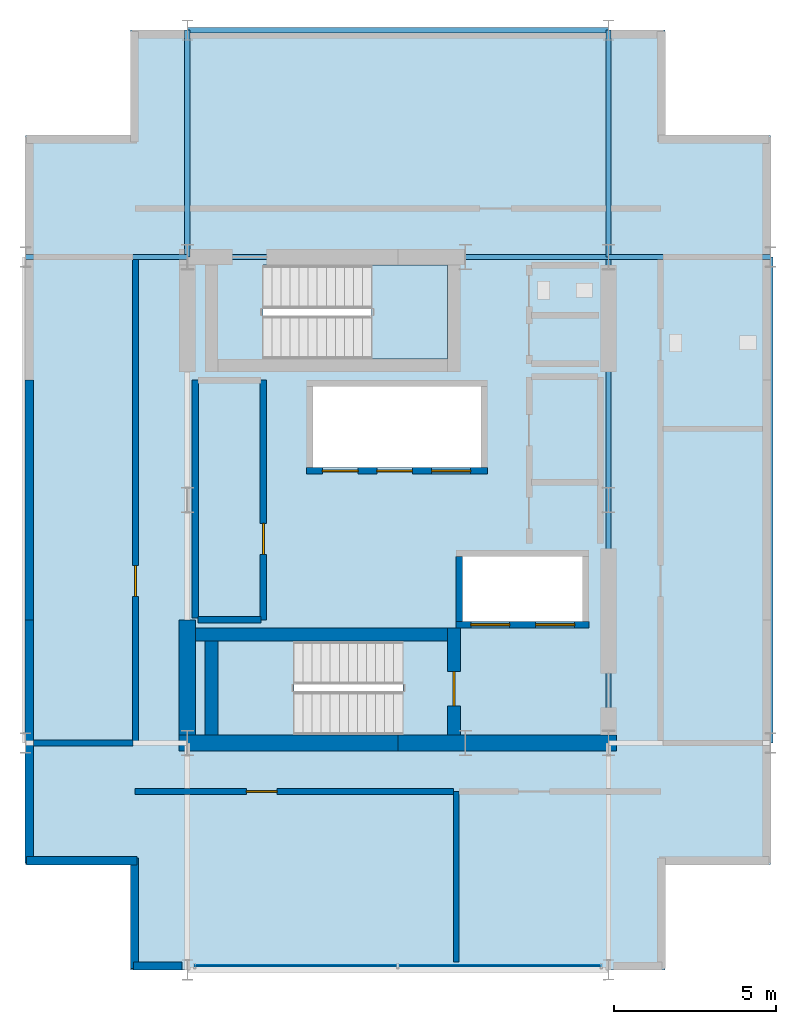
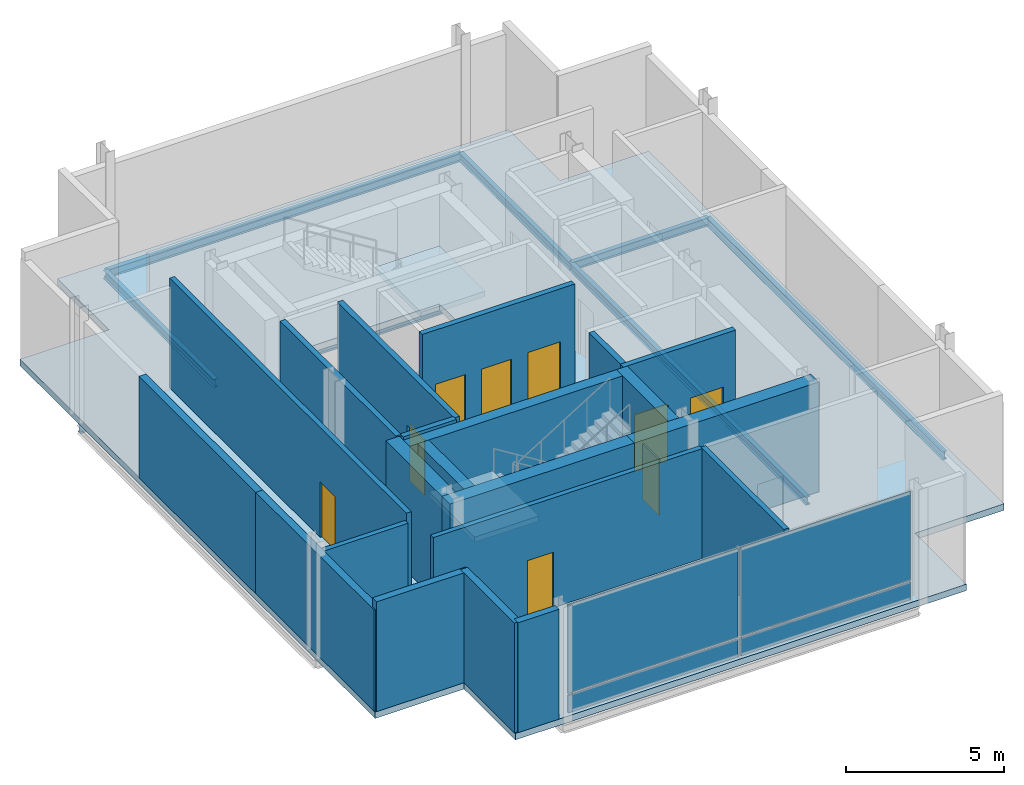
# One storey, part 6 of 10: 21 walls, 9 doors, 8 beams, 4 plates, 3 slabs, 9 openings, 3 elements without a shape of their own.
"""IFC4 building model written with IfcOpenShell, lengths in metres."""

from ifc_helpers import new_model, si_unit, direction, frame, frame_2d, origin, origin_2d, place, context, subcontext, project, spatial, polyline, rectangle, i_section, outline, extrude, material, layer, layer_set, material_profile, profile_set, type_object, element, fill, aggregate, save


model = new_model("IFC4")

# Units and contexts
model_context = context("Model", 3, precision=1e-05, world=origin(), true_north=direction((0.0, 1.0)))
body_context = subcontext(model_context, "Body", "Model", "MODEL_VIEW")
ifc_project = project(units=[si_unit("LENGTHUNIT", "METRE"), si_unit("AREAUNIT", "SQUARE_METRE"), si_unit("VOLUMEUNIT", "CUBIC_METRE"), si_unit("PLANEANGLEUNIT", "RADIAN"), si_unit("MASSUNIT", "GRAM", prefix="KILO")], contexts=[model_context])

# Site, building, storey
site_placement = place(None, origin())
site = spatial("IfcSite", under=ifc_project, at=site_placement, CompositionType="ELEMENT")
building_placement = place(site_placement, origin())
building = spatial("IfcBuilding", under=site, at=building_placement, Name="Barlavira Tower and Art Museum", CompositionType="ELEMENT")
storey_placement = place(building_placement, frame((0.0, 0.0, 314.39990234375)))
storey = spatial("IfcBuildingStorey", under=building, at=storey_placement, Name="L82", CompositionType="ELEMENT", Elevation=314.39990234375)

# Beams
ifc_material_1 = material(Name="Steel S355", Category="steel")
ifc_material_profile = material_profile(ifc_material_1, i_section(OverallWidth=0.1669921875, OverallDepth=0.31689453125, WebThickness=0.007568359375, FlangeThickness=0.01318359375, at=origin_2d()), Name="W310x52.0")
ifc_profile_set = profile_set([ifc_material_profile], Name="Steel S355")
beam_type = type_object("IfcBeamType", Name="Crown Floor Joist W310x52 Steel S355", PredefinedType="JOIST", material=ifc_profile_set)
beam_1_placement = place(storey_placement, frame((-6.5, 14.5, -0.408447265625), z_axis=(1.0, 0.0, 0.0), x_axis=(0.0, 1.0, 0.0)))
element("IfcBeam", 1, at=beam_1_placement, inside=storey, type_object=beam_type, Name="L82 Crown Ring Beam CN", PredefinedType="JOIST", context=body_context, shape_type="SweptSolid", body=[
    extrude(i_section(OverallWidth=0.1669921875, OverallDepth=0.31689453125, WebThickness=0.007568359375, FlangeThickness=0.01318359375, at=origin_2d()), origin(), (0.0, 0.0, 1.0), 13.0),
])
beam_2_placement = place(storey_placement, frame((11.5, -7.5, -0.408447265625), z_axis=(0.0, 1.0, 0.0), x_axis=(-1.0, 0.0, 0.0)))
element("IfcBeam", 2, at=beam_2_placement, inside=storey, type_object=beam_type, Name="L82 Crown Ring Beam CE1", PredefinedType="JOIST", context=body_context, shape_type="SweptSolid", body=[
    extrude(i_section(OverallWidth=0.1669921875, OverallDepth=0.31689453125, WebThickness=0.007568359375, FlangeThickness=0.01318359375, at=origin_2d()), origin(), (0.0, 0.0, 1.0), 15.0),
])
for number, where, z_axis, x_axis, name in (
    (3, (-6.5, 7.5, -0.408447265625), (0.0, 1.0, 0.0), (-1.0, 0.0, 0.0), "L82 Crown Ring Beam CNL"),
    (4, (6.5, 7.5, -0.408447265625), (0.0, 1.0, 0.0), (-1.0, 0.0, 0.0), "L82 Crown Ring Beam CNR"),
):
    element("IfcBeam", number, at=place(storey_placement, frame(where, z_axis=z_axis, x_axis=x_axis)), inside=storey, type_object=beam_type, Name=name, PredefinedType="JOIST", context=body_context, shape_type="SweptSolid", body=[
        extrude(i_section(OverallWidth=0.1669921875, OverallDepth=0.31689453125, WebThickness=0.007568359375, FlangeThickness=0.01318359375, at=origin_2d()), origin(), (0.0, 0.0, 1.0), 7.0),
    ])
for number, where, z_axis, x_axis, name in (
    (5, (-11.5, 7.5, -0.408447265625), (1.0, 0.0, 0.0), (0.0, 1.0, 0.0), "L82 Crown Ring Beam CWR"),
    (6, (6.5, 7.5, -0.408447265625), (1.0, 0.0, 0.0), (0.0, 1.0, 0.0), "L82 Crown Ring Beam CER"),
):
    element("IfcBeam", number, at=place(storey_placement, frame(where, z_axis=z_axis, x_axis=x_axis)), inside=storey, type_object=beam_type, Name=name, PredefinedType="JOIST", context=body_context, shape_type="SweptSolid", body=[
        extrude(i_section(OverallWidth=0.1669921875, OverallDepth=0.31689453125, WebThickness=0.007568359375, FlangeThickness=0.01318359375, at=origin_2d()), origin(), (0.0, 0.0, 1.0), 5.0),
    ])
beam_3_placement = place(storey_placement, frame((-6.5, 7.5, -0.408447265625), z_axis=(1.0, 0.0, 0.0), x_axis=(0.0, 1.0, 0.0)))
element("IfcBeam", 7, at=beam_3_placement, inside=storey, type_object=beam_type, Name="L82 Crown Ring Beam CI2", PredefinedType="JOIST", context=body_context, shape_type="SweptSolid", body=[
    extrude(i_section(OverallWidth=0.1669921875, OverallDepth=0.31689453125, WebThickness=0.007568359375, FlangeThickness=0.01318359375, at=origin_2d()), origin(), (0.0, 0.0, 1.0), 13.0),
])
beam_4_placement = place(storey_placement, frame((6.5, -7.5, -0.408447265625), z_axis=(0.0, 1.0, 0.0), x_axis=(-1.0, 0.0, 0.0)))
element("IfcBeam", 8, at=beam_4_placement, inside=storey, type_object=beam_type, Name="L82 Crown Ring Beam CI4", PredefinedType="JOIST", context=body_context, shape_type="SweptSolid", body=[
    extrude(i_section(OverallWidth=0.1669921875, OverallDepth=0.31689453125, WebThickness=0.007568359375, FlangeThickness=0.01318359375, at=origin_2d()), origin(), (0.0, 0.0, 1.0), 15.0),
])

# Slab
ifc_material_2 = material(Name="Concrete C50", Category="concrete")
ifc_layer_1 = layer(ifc_material_2, 0.25, Name="Concrete C50")
ifc_layer_set_1 = layer_set([ifc_layer_1], Name="Concrete C50")
slab_type_1 = type_object("IfcSlabType", Name="Crown Conservatory and Plant Slab 250 Concrete C50", PredefinedType="FLOOR", material=ifc_layer_set_1)
slab_1_placement = place(storey_placement, frame((0.0, 0.0, -0.25)))
element("IfcSlab", 9, at=slab_1_placement, inside=storey, type_object=slab_type_1, Name="L82 Crown Floor Slab", PredefinedType="FLOOR", context=body_context, shape_type="SweptSolid", body=[
    extrude(outline(polyline([(-8.25, -14.5), (8.25, -14.5), (8.25, -11.25), (11.5, -11.25), (11.5, 11.25), (8.25, 11.25), (8.25, 14.5), (-8.25, 14.5), (-8.25, 11.25), (-11.5, 11.25), (-11.5, -11.25), (-8.25, -11.25), (-8.25, -14.5)]), holes=[polyline([(0.14990234375, -4.35009765625), (-5.550048828125, -4.35009765625), (-5.550048828125, -7.25), (0.14990234375, -7.25), (0.14990234375, -4.35009765625)]), polyline([(-4.169921875, 4.35009765625), (1.530029296875, 4.35009765625), (1.530029296875, 7.25), (-4.169921875, 7.25), (-4.169921875, 4.35009765625)]), polyline([(-2.6201171875, 1.0), (2.56005859375, 1.0), (2.56005859375, 3.5), (-2.6201171875, 3.5), (-2.6201171875, 1.0)]), polyline([(2.0, -3.75), (5.699951171875, -3.75), (5.699951171875, -1.75), (2.0, -1.75), (2.0, -3.75)])]), origin(), (0.0, 0.0, 1.0), 0.25),
])

# Curtain wall, plates
ifc_material_3 = material(Name="Low-iron coastal laminated glass", Category="glass")
ifc_layer_2 = layer(ifc_material_3, 0.22998046875, Name="Low-iron coastal laminated glass")
ifc_layer_set_2 = layer_set([ifc_layer_2], Name="Low-iron coastal laminated glass")
curtain_wall_type = type_object("IfcCurtainWallType", Name="Winter-Garden Conservatory Glazed Curtain Wall", PredefinedType="NOTDEFINED", material=ifc_layer_set_2)
curtain_wall_placement = place(storey_placement, origin())
curtain_wall = element("IfcCurtainWall", 10, at=curtain_wall_placement, inside=storey, type_object=curtain_wall_type, Name="L82 Curtain Wall CW7-L82-S-B2", PredefinedType="NOTDEFINED")
ifc_material_4 = material(Name="Pale anodised aluminium", Category="aluminium")
ifc_layer_3 = layer(ifc_material_4, 0.044921875, Name="Pale anodised aluminium")
ifc_layer_set_3 = layer_set([ifc_layer_3], Name="Pale anodised aluminium")
plate_type_1 = type_object("IfcPlateType", Name="Curtain Wall Pale-Metal Spandrel Panel 45", PredefinedType="CURTAIN_PANEL", material=ifc_layer_set_3)
plate_1_placement = place(storey_placement, frame((-3.157958984375, -14.3798828125, 0.0400390625), z_axis=(0.0, 0.0, 1.0), x_axis=(1.0, 0.0, 0.0)))
plate_1 = element("IfcPlate", 11, at=plate_1_placement, type_object=plate_type_1, Name="CW7-L82-S-B2 Spandrel Panel 0", PredefinedType="CURTAIN_PANEL", context=body_context, shape_type="SweptSolid", body=[
    extrude(rectangle(XDim=6.216064453125, YDim=0.044921875, at=origin_2d()), origin(), (0.0, 0.0, 1.0), 0.669921875),
])
plate_2_placement = place(storey_placement, frame((3.157958984375, -14.3798828125, 0.0400390625), z_axis=(0.0, 0.0, 1.0), x_axis=(1.0, 0.0, 0.0)))
plate_2 = element("IfcPlate", 12, at=plate_2_placement, type_object=plate_type_1, Name="CW7-L82-S-B2 Spandrel Panel 1", PredefinedType="CURTAIN_PANEL", context=body_context, shape_type="SweptSolid", body=[
    extrude(rectangle(XDim=6.216064453125, YDim=0.044921875, at=origin_2d()), origin(), (0.0, 0.0, 1.0), 0.669921875),
])
ifc_layer_4 = layer(ifc_material_3, 0.028076171875, Name="Low-iron coastal laminated glass")
ifc_layer_set_4 = layer_set([ifc_layer_4], Name="Low-iron coastal laminated glass")
plate_type_2 = type_object("IfcPlateType", Name="Curtain Wall Vision Glazing Panel 28", PredefinedType="CURTAIN_PANEL", material=ifc_layer_set_4)
plate_3_placement = place(storey_placement, frame((-3.157958984375, -14.3798828125, 0.7900390625), z_axis=(0.0, 0.0, 1.0), x_axis=(1.0, 0.0, 0.0)))
plate_3 = element("IfcPlate", 13, at=plate_3_placement, type_object=plate_type_2, Name="CW7-L82-S-B2 Vision Glass Panel 0", PredefinedType="CURTAIN_PANEL", context=body_context, shape_type="SweptSolid", body=[
    extrude(rectangle(XDim=6.216064453125, YDim=0.028076171875, at=origin_2d()), origin(), (0.0, 0.0, 1.0), 3.419921875),
])
plate_4_placement = place(storey_placement, frame((3.157958984375, -14.3798828125, 0.7900390625), z_axis=(0.0, 0.0, 1.0), x_axis=(1.0, 0.0, 0.0)))
plate_4 = element("IfcPlate", 14, at=plate_4_placement, type_object=plate_type_2, Name="CW7-L82-S-B2 Vision Glass Panel 1", PredefinedType="CURTAIN_PANEL", context=body_context, shape_type="SweptSolid", body=[
    extrude(rectangle(XDim=6.216064453125, YDim=0.028076171875, at=origin_2d()), origin(), (0.0, 0.0, 1.0), 3.419921875),
])
aggregate(curtain_wall, [plate_1, plate_3, plate_2, plate_4])

# Stair, slab
ifc_material_5 = material(Name="Concrete C45", Category="concrete")
stair_type_1 = type_object("IfcStairType", Name="Tower North Dog-Leg Exit Stair Assembly Concrete C45", PredefinedType="TWO_QUARTER_TURN_STAIR", material=ifc_material_5)
stair_1_placement = place(storey_placement, origin())
stair_1 = element("IfcStair", 15, at=stair_1_placement, inside=storey, type_object=stair_type_1, Name="L82 Tower North Exit Stair ST-T2", PredefinedType="TWO_QUARTER_TURN_STAIR")
ifc_layer_5 = layer(ifc_material_5, 0.199951171875, Name="Concrete C45")
ifc_layer_set_5 = layer_set([ifc_layer_5], Name="Concrete C45")
slab_type_2 = type_object("IfcSlabType", Name="Tower North Dog-Leg Exit Stair Half-Landing Slab 200 Concrete C45", PredefinedType="LANDING", material=ifc_layer_set_5)
slab_2_placement = place(storey_placement, frame((0.0, 0.0, 2.050048828125)))
slab_2 = element("IfcSlab", 16, at=slab_2_placement, type_object=slab_type_2, Name="ST-T2 landing 1", PredefinedType="LANDING", context=body_context, shape_type="SweptSolid", body=[
    extrude(outline(polyline([(-0.81005859375, 4.35009765625), (1.530029296875, 4.35009765625), (1.530029296875, 7.25), (-0.81005859375, 7.25), (-0.81005859375, 4.35009765625)])), origin(), (0.0, 0.0, 1.0), 0.199951171875),
])
aggregate(stair_1, [slab_2])

stair_type_2 = type_object("IfcStairType", Name="Tower South Dog-Leg Exit Stair Assembly Concrete C45", PredefinedType="TWO_QUARTER_TURN_STAIR", material=ifc_material_5)
stair_2_placement = place(storey_placement, origin())
stair_2 = element("IfcStair", 17, at=stair_2_placement, inside=storey, type_object=stair_type_2, Name="L82 Tower South Exit Stair ST-T1", PredefinedType="TWO_QUARTER_TURN_STAIR")
ifc_layer_6 = layer(ifc_material_5, 0.199951171875, Name="Concrete C45")
ifc_layer_set_6 = layer_set([ifc_layer_6], Name="Concrete C45")
slab_type_3 = type_object("IfcSlabType", Name="Tower South Dog-Leg Exit Stair Half-Landing Slab 200 Concrete C45", PredefinedType="LANDING", material=ifc_layer_set_6)
slab_3_placement = place(storey_placement, frame((0.0, 0.0, 2.050048828125)))
slab_3 = element("IfcSlab", 18, at=slab_3_placement, type_object=slab_type_3, Name="ST-T1 landing 1", PredefinedType="LANDING", context=body_context, shape_type="SweptSolid", body=[
    extrude(outline(polyline([(-3.2099609375, -4.35009765625), (-5.550048828125, -4.35009765625), (-5.550048828125, -7.25), (-3.2099609375, -7.25), (-3.2099609375, -4.35009765625)])), origin(), (0.0, 0.0, 1.0), 0.199951171875),
])
aggregate(stair_2, [slab_3])

# Walls
ifc_material_6 = material(Name="Concrete C60", Category="concrete")
ifc_layer_7 = layer(ifc_material_6, 0.5, Name="Concrete C60")
ifc_layer_set_7 = layer_set([ifc_layer_7], Name="Concrete C60")
wall_type_1 = type_object("IfcWallType", Name="Core Structural Shear Wall 500 Concrete C60", PredefinedType="SHEAR", material=ifc_layer_set_7)
for number, where, z_axis, x_axis, name in (
    (19, (-6.75, -7.5, 0.0), (0.0, 0.0, 1.0), (1.0, 0.0, 0.0), "L82 Core Shear Wall CS-SW"),
    (20, (0.0, -7.5, 0.0), (0.0, 0.0, 1.0), (1.0, 0.0, 0.0), "L82 Core Shear Wall CS-SE"),
):
    element("IfcWall", number, at=place(storey_placement, frame(where, z_axis=z_axis, x_axis=x_axis)), inside=storey, type_object=wall_type_1, Name=name, PredefinedType="SHEAR", context=body_context, shape_type="SweptSolid", body=[
        extrude(rectangle(XDim=6.75, YDim=0.5, at=frame_2d((3.375, 0.0))), origin(), (0.0, 0.0, 1.0), 4.25),
    ])
wall_1_placement = place(storey_placement, frame((-6.5, -7.25, 0.0), z_axis=(0.0, 0.0, 1.0), x_axis=(0.0, 1.0, 0.0)))
element("IfcWall", 21, at=wall_1_placement, inside=storey, type_object=wall_type_1, Name="L82 Core Shear Wall CS-W1", PredefinedType="SHEAR", context=body_context, shape_type="SweptSolid", body=[
    extrude(rectangle(XDim=3.550048828125, YDim=0.5, at=frame_2d((1.77490234375, 0.0))), origin(), (0.0, 0.0, 1.0), 4.25),
])
ifc_material_7 = material(Name="Architectural white precast concrete C40", Category="concrete")
ifc_layer_8 = layer(ifc_material_7, 0.260009765625, Name="Architectural white precast concrete C40")
ifc_layer_set_8 = layer_set([ifc_layer_8], Name="Architectural white precast concrete C40")
wall_type_2 = type_object("IfcWallType", Name="Crown Architectural White Precast Wall 260 Concrete C40", PredefinedType="SOLIDWALL", material=ifc_layer_set_8)
wall_2_placement = place(storey_placement, frame((-11.3798828125, -3.699951171875, 0.0), z_axis=(0.0, 0.0, 1.0), x_axis=(0.0, -1.0, 0.0)))
element("IfcWall", 22, at=wall_2_placement, inside=storey, type_object=wall_type_2, Name="L82 Chisel W White Precast Wall 1", PredefinedType="SOLIDWALL", context=body_context, shape_type="SweptSolid", body=[
    extrude(rectangle(XDim=7.5, YDim=0.260009765625, at=frame_2d((3.75, 0.0))), origin(), (0.0, 0.0, 1.0), 3.918212890625),
])
wall_3_placement = place(storey_placement, frame((-11.3798828125, 3.699951171875, 0.0), z_axis=(0.0, 0.0, 1.0), x_axis=(0.0, -1.0, 0.0)))
element("IfcWall", 23, at=wall_3_placement, inside=storey, type_object=wall_type_2, Name="L82 Chisel W White Precast Wall 2", PredefinedType="SOLIDWALL", context=body_context, shape_type="SweptSolid", body=[
    extrude(rectangle(XDim=7.39990234375, YDim=0.260009765625, at=frame_2d((3.699951171875, 0.0))), origin(), (0.0, 0.0, 1.0), 3.918212890625),
])
for number, where, z_axis, x_axis, name in (
    (24, (-11.4599609375, -11.1298828125, 0.0), (0.0, 0.0, 1.0), (1.0, 0.0, 0.0), "L82 Crown Notch White Precast Wall SW1"),
    (25, (-8.1298828125, -11.050048828125, 0.0), (0.0, 0.0, 1.0), (0.0, -1.0, 0.0), "L82 Crown Notch White Precast Wall SW2"),
):
    element("IfcWall", number, at=place(storey_placement, frame(where, z_axis=z_axis, x_axis=x_axis)), inside=storey, type_object=wall_type_2, Name=name, PredefinedType="SOLIDWALL", context=body_context, shape_type="SweptSolid", body=[
        extrude(rectangle(XDim=3.409912109375, YDim=0.260009765625, at=frame_2d((1.705078125, 0.0))), origin(), (0.0, 0.0, 1.0), 4.25),
    ])

# Wall, openings, doors
ifc_material_8 = material(Name="Autoclaved aerated concrete masonry", Category="masonry")
ifc_layer_9 = layer(ifc_material_8, 0.199951171875, Name="Autoclaved aerated concrete masonry")
ifc_layer_set_9 = layer_set([ifc_layer_9], Name="Autoclaved aerated concrete masonry")
wall_type_3 = type_object("IfcWallType", Name="Fire Compartment and Shaft Wall 200", PredefinedType="SOLIDWALL", material=ifc_layer_set_9)
wall_4_placement = place(storey_placement, frame((-2.820068359375, 0.89990234375, 0.0), z_axis=(0.0, 0.0, 1.0), x_axis=(1.0, 0.0, 0.0)))
wall_4 = element("IfcWall", 26, at=wall_4_placement, inside=storey, type_object=wall_type_3, Name="L82 High-Rise & Service Lift Front Wall", PredefinedType="SOLIDWALL", context=body_context, shape_type="SweptSolid", body=[
    extrude(rectangle(XDim=5.580078125, YDim=0.199951171875, at=frame_2d((2.7900390625, 0.0))), origin(), (0.0, 0.0, 1.0), 4.25),
])
opening_1_placement = place(wall_4_placement, frame((0.489990234375, 0.0, 0.0)))
opening_1 = element("IfcOpeningElement", 27, at=opening_1_placement, cuts=wall_4, Name="Opening LD-P", PredefinedType="OPENING", context=body_context, shape_type="SweptSolid", body=[
    extrude(rectangle(XDim=1.10009765625, YDim=2.14990234375, at=frame_2d((0.550048828125, 1.074951171875))), frame((0.0, 0.10986328125, 0.0), z_axis=(0.0, -1.0, 0.0), x_axis=(1.0, 0.0, 0.0)), (0.0, 0.0, 1.0), 0.219970703125),
])
opening_2_placement = place(wall_4_placement, frame((2.169921875, 0.0, 0.0)))
opening_2 = element("IfcOpeningElement", 28, at=opening_2_placement, cuts=wall_4, Name="Opening LD-P", PredefinedType="OPENING", context=body_context, shape_type="SweptSolid", body=[
    extrude(rectangle(XDim=1.10009765625, YDim=2.14990234375, at=frame_2d((0.550048828125, 1.074951171875))), frame((0.0, 0.10986328125, 0.0), z_axis=(0.0, -1.0, 0.0), x_axis=(1.0, 0.0, 0.0)), (0.0, 0.0, 1.0), 0.219970703125),
])
opening_3_placement = place(wall_4_placement, frame((3.860107421875, 0.0, 0.0)))
opening_3 = element("IfcOpeningElement", 29, at=opening_3_placement, cuts=wall_4, Name="Opening LD-F", PredefinedType="OPENING", context=body_context, shape_type="SweptSolid", body=[
    extrude(rectangle(XDim=1.199951171875, YDim=2.199951171875, at=frame_2d((0.60009765625, 1.10009765625))), frame((0.0, 0.10986328125, 0.0), z_axis=(0.0, -1.0, 0.0), x_axis=(1.0, 0.0, 0.0)), (0.0, 0.0, 1.0), 0.219970703125),
])
ifc_material_9 = material(Name="Brushed stainless steel", Category="steel")
door_type_1 = type_object("IfcDoorType", Name="Firefighting and Service Lift Sliding Door 1200x2200 FD120", OperationType="NOTDEFINED", PredefinedType="DOOR", material=ifc_material_9)
door_1_placement = place(opening_3_placement, origin())
door_1 = element("IfcDoor", 30, at=door_1_placement, inside=storey, type_object=door_type_1, Name="L82 Stretcher Service Lift SL1 Sliding Door", OperationType="DOUBLE_DOOR_SLIDING", OverallHeight=2.199951171875, OverallWidth=1.199951171875, PredefinedType="DOOR", context=body_context, shape_type="SweptSolid", body=[
    extrude(rectangle(XDim=1.199951171875, YDim=2.199951171875, at=frame_2d((0.60009765625, 1.10009765625))), frame((0.0, 0.02490234375, 0.0), z_axis=(0.0, -1.0, 0.0), x_axis=(1.0, 0.0, 0.0)), (0.0, 0.0, 1.0), 0.050048828125),
])
fill(opening_3, door_1)
door_type_2 = type_object("IfcDoorType", Name="Passenger Lift Sliding Landing Door 1100x2150 FD60", OperationType="NOTDEFINED", PredefinedType="DOOR", material=ifc_material_9)
door_2_placement = place(opening_1_placement, origin())
door_2 = element("IfcDoor", 31, at=door_2_placement, inside=storey, type_object=door_type_2, Name="L82 Lift PH1 Sliding Landing Door", OperationType="DOUBLE_DOOR_SLIDING", OverallHeight=2.14990234375, OverallWidth=1.10009765625, PredefinedType="DOOR", context=body_context, shape_type="SweptSolid", body=[
    extrude(rectangle(XDim=1.10009765625, YDim=2.14990234375, at=frame_2d((0.550048828125, 1.074951171875))), frame((0.0, 0.02490234375, 0.0), z_axis=(0.0, -1.0, 0.0), x_axis=(1.0, 0.0, 0.0)), (0.0, 0.0, 1.0), 0.050048828125),
])
fill(opening_1, door_2)
door_3_placement = place(opening_2_placement, origin())
door_3 = element("IfcDoor", 32, at=door_3_placement, inside=storey, type_object=door_type_2, Name="L82 Lift PH2 Sliding Landing Door", OperationType="DOUBLE_DOOR_SLIDING", OverallHeight=2.14990234375, OverallWidth=1.10009765625, PredefinedType="DOOR", context=body_context, shape_type="SweptSolid", body=[
    extrude(rectangle(XDim=1.10009765625, YDim=2.14990234375, at=frame_2d((0.550048828125, 1.074951171875))), frame((0.0, 0.02490234375, 0.0), z_axis=(0.0, -1.0, 0.0), x_axis=(1.0, 0.0, 0.0)), (0.0, 0.0, 1.0), 0.050048828125),
])
fill(opening_2, door_3)

wall_5_placement = place(storey_placement, frame((1.800048828125, -3.85009765625, 0.0), z_axis=(0.0, 0.0, 1.0), x_axis=(1.0, 0.0, 0.0)))
wall_5 = element("IfcWall", 33, at=wall_5_placement, inside=storey, type_object=wall_type_3, Name="L82 Firefighting Lift Front Shaft Wall", PredefinedType="SOLIDWALL", context=body_context, shape_type="SweptSolid", body=[
    extrude(rectangle(XDim=4.099853515625, YDim=0.199951171875, at=frame_2d((2.0498046875, 0.0))), origin(), (0.0, 0.0, 1.0), 4.25),
])
opening_4_placement = place(wall_5_placement, frame((0.449951171875, 0.0, 0.0)))
opening_4 = element("IfcOpeningElement", 34, at=opening_4_placement, cuts=wall_5, Name="Opening LD-F", PredefinedType="OPENING", context=body_context, shape_type="SweptSolid", body=[
    extrude(rectangle(XDim=1.199951171875, YDim=2.199951171875, at=frame_2d((0.60009765625, 1.10009765625))), frame((0.0, 0.10986328125, 0.0), z_axis=(0.0, -1.0, 0.0), x_axis=(1.0, 0.0, 0.0)), (0.0, 0.0, 1.0), 0.219970703125),
])
opening_5_placement = place(wall_5_placement, frame((2.449951171875, 0.0, 0.0)))
opening_5 = element("IfcOpeningElement", 35, at=opening_5_placement, cuts=wall_5, Name="Opening LD-F", PredefinedType="OPENING", context=body_context, shape_type="SweptSolid", body=[
    extrude(rectangle(XDim=1.199951171875, YDim=2.199951171875, at=frame_2d((0.60009765625, 1.10009765625))), frame((0.0, 0.10986328125, 0.0), z_axis=(0.0, -1.0, 0.0), x_axis=(1.0, 0.0, 0.0)), (0.0, 0.0, 1.0), 0.219970703125),
])
door_4_placement = place(opening_4_placement, origin())
door_4 = element("IfcDoor", 36, at=door_4_placement, inside=storey, type_object=door_type_1, Name="L82 Firefighting Lift FF1 Sliding Door", OperationType="DOUBLE_DOOR_SLIDING", OverallHeight=2.199951171875, OverallWidth=1.199951171875, PredefinedType="DOOR", context=body_context, shape_type="SweptSolid", body=[
    extrude(rectangle(XDim=1.199951171875, YDim=2.199951171875, at=frame_2d((0.60009765625, 1.10009765625))), frame((0.0, 0.02490234375, 0.0), z_axis=(0.0, -1.0, 0.0), x_axis=(1.0, 0.0, 0.0)), (0.0, 0.0, 1.0), 0.050048828125),
])
fill(opening_4, door_4)
door_5_placement = place(opening_5_placement, origin())
door_5 = element("IfcDoor", 37, at=door_5_placement, inside=storey, type_object=door_type_1, Name="L82 Firefighting Lift FF2 Sliding Door", OperationType="DOUBLE_DOOR_SLIDING", OverallHeight=2.199951171875, OverallWidth=1.199951171875, PredefinedType="DOOR", context=body_context, shape_type="SweptSolid", body=[
    extrude(rectangle(XDim=1.199951171875, YDim=2.199951171875, at=frame_2d((0.60009765625, 1.10009765625))), frame((0.0, 0.02490234375, 0.0), z_axis=(0.0, -1.0, 0.0), x_axis=(1.0, 0.0, 0.0)), (0.0, 0.0, 1.0), 0.050048828125),
])
fill(opening_5, door_5)

# Walls
wall_6_placement = place(storey_placement, frame((1.89990234375, -3.75, 0.0), z_axis=(0.0, 0.0, 1.0), x_axis=(0.0, 1.0, 0.0)))
element("IfcWall", 38, at=wall_6_placement, inside=storey, type_object=wall_type_3, Name="L82 Firefighting Lift West Shaft Wall", PredefinedType="SOLIDWALL", context=body_context, shape_type="SweptSolid", body=[
    extrude(rectangle(XDim=2.0, YDim=0.199951171875, at=frame_2d((1.0, 0.0))), origin(), (0.0, 0.0, 1.0), 4.25),
])
wall_7_placement = place(storey_placement, frame((-6.25, -3.639892578125, 0.0), z_axis=(0.0, 0.0, 1.0), x_axis=(0.0, 1.0, 0.0)))
element("IfcWall", 39, at=wall_7_placement, inside=storey, type_object=wall_type_3, Name="L82 Partition Wall 2", PredefinedType="SOLIDWALL", context=body_context, shape_type="SweptSolid", body=[
    extrude(rectangle(XDim=7.33984375, YDim=0.199951171875, at=frame_2d((3.669921875, 0.0))), origin(), (0.0, 0.0, 1.0), 4.25),
])

# Wall, opening, door
wall_8_placement = place(storey_placement, frame((-4.14990234375, -3.699951171875, 0.0), z_axis=(0.0, 0.0, 1.0), x_axis=(0.0, 1.0, 0.0)))
wall_8 = element("IfcWall", 40, at=wall_8_placement, inside=storey, type_object=wall_type_3, Name="L82 Partition Wall 3", PredefinedType="SOLIDWALL", context=body_context, shape_type="SweptSolid", body=[
    extrude(rectangle(XDim=7.39990234375, YDim=0.199951171875, at=frame_2d((3.699951171875, 0.0))), origin(), (0.0, 0.0, 1.0), 4.25),
])
opening_6_placement = place(wall_8_placement, frame((2.02490234375, 0.0, 0.0)))
opening_6 = element("IfcOpeningElement", 41, at=opening_6_placement, cuts=wall_8, Name="Opening FD-60", PredefinedType="OPENING", context=body_context, shape_type="SweptSolid", body=[
    extrude(rectangle(XDim=0.949951171875, YDim=2.14990234375, at=frame_2d((0.47509765625, 1.074951171875))), frame((0.0, 0.10986328125, 0.0), z_axis=(0.0, -1.0, 0.0), x_axis=(1.0, 0.0, 0.0)), (0.0, 0.0, 1.0), 0.219970703125),
])
door_type_3 = type_object("IfcDoorType", Name="Apartment Entrance and Riser Fire Door 950x2150 FD60S", OperationType="NOTDEFINED", PredefinedType="DOOR", material=ifc_material_9)
door_6_placement = place(opening_6_placement, origin())
door_6 = element("IfcDoor", 42, at=door_6_placement, inside=storey, type_object=door_type_3, Name="Reclaimed Core Tenant Storage Vault Door", OperationType="SINGLE_SWING_LEFT", OverallHeight=2.14990234375, OverallWidth=0.949951171875, PredefinedType="DOOR", context=body_context, shape_type="SweptSolid", body=[
    extrude(rectangle(XDim=0.949951171875, YDim=2.14990234375, at=frame_2d((0.47509765625, 1.074951171875))), frame((0.0, 0.02490234375, 0.0), z_axis=(0.0, -1.0, 0.0), x_axis=(1.0, 0.0, 0.0)), (0.0, 0.0, 1.0), 0.050048828125),
])
fill(opening_6, door_6)

# Wall
wall_9_placement = place(storey_placement, frame((-6.169921875, -3.699951171875, 0.0), z_axis=(0.0, 0.0, 1.0), x_axis=(1.0, 0.0, 0.0)))
element("IfcWall", 43, at=wall_9_placement, inside=storey, type_object=wall_type_3, Name="L82 Partition Wall 13", PredefinedType="SOLIDWALL", context=body_context, shape_type="SweptSolid", body=[
    extrude(rectangle(XDim=1.93994140625, YDim=0.199951171875, at=frame_2d((0.969970703125, 0.0))), origin(), (0.0, 0.0, 1.0), 4.25),
])

# Wall, opening, door
ifc_material_10 = material(Name="Gypsum acoustic stud partition", Category="gypsum")
ifc_layer_10 = layer(ifc_material_10, 0.179931640625, Name="Gypsum acoustic stud partition")
ifc_layer_set_10 = layer_set([ifc_layer_10], Name="Gypsum acoustic stud partition")
wall_type_4 = type_object("IfcWallType", Name="Inter-Tenancy Party Partition Wall 180", PredefinedType="PARTITIONING", material=ifc_layer_set_10)
wall_10_placement = place(storey_placement, frame((-8.10009765625, -7.5, 0.0), z_axis=(0.0, 0.0, 1.0), x_axis=(0.0, 1.0, 0.0)))
wall_10 = element("IfcWall", 44, at=wall_10_placement, inside=storey, type_object=wall_type_4, Name="L82 Partition Wall 1", PredefinedType="PARTITIONING", context=body_context, shape_type="SweptSolid", body=[
    extrude(rectangle(XDim=15.0, YDim=0.179931640625, at=frame_2d((7.5, 0.0))), origin(), (0.0, 0.0, 1.0), 4.25),
])
opening_7_placement = place(wall_10_placement, frame((4.52490234375, 0.0, 0.0)))
opening_7 = element("IfcOpeningElement", 45, at=opening_7_placement, cuts=wall_10, Name="Opening FD-60", PredefinedType="OPENING", context=body_context, shape_type="SweptSolid", body=[
    extrude(rectangle(XDim=0.949951171875, YDim=2.14990234375, at=frame_2d((0.47509765625, 1.074951171875))), frame((0.0, 0.10009765625, 0.0), z_axis=(0.0, -1.0, 0.0), x_axis=(1.0, 0.0, 0.0)), (0.0, 0.0, 1.0), 0.199951171875),
])
door_7_placement = place(opening_7_placement, origin())
door_7 = element("IfcDoor", 46, at=door_7_placement, inside=storey, type_object=door_type_3, Name="L82 Botanical Research Reading Library Door", OperationType="SINGLE_SWING_LEFT", OverallHeight=2.14990234375, OverallWidth=0.949951171875, PredefinedType="DOOR", context=body_context, shape_type="SweptSolid", body=[
    extrude(rectangle(XDim=0.949951171875, YDim=2.14990234375, at=frame_2d((0.47509765625, 1.074951171875))), frame((0.0, 0.02490234375, 0.0), z_axis=(0.0, -1.0, 0.0), x_axis=(1.0, 0.0, 0.0)), (0.0, 0.0, 1.0), 0.050048828125),
])
fill(opening_7, door_7)

# Wall
wall_11_placement = place(storey_placement, frame((1.800048828125, -14.260009765625, 0.0), z_axis=(0.0, 0.0, 1.0), x_axis=(0.0, 1.0, 0.0)))
element("IfcWall", 47, at=wall_11_placement, inside=storey, type_object=wall_type_4, Name="L82 Partition Wall 4", PredefinedType="PARTITIONING", context=body_context, shape_type="SweptSolid", body=[
    extrude(rectangle(XDim=5.260009765625, YDim=0.179931640625, at=frame_2d((2.6298828125, 0.0))), origin(), (0.0, 0.0, 1.0), 4.25),
])

# Wall, opening, door
wall_12_placement = place(storey_placement, frame((-8.1201171875, -9.0, 0.0), z_axis=(0.0, 0.0, 1.0), x_axis=(1.0, 0.0, 0.0)))
wall_12 = element("IfcWall", 48, at=wall_12_placement, inside=storey, type_object=wall_type_4, Name="L82 Partition Wall 9", PredefinedType="PARTITIONING", context=body_context, shape_type="SweptSolid", body=[
    extrude(rectangle(XDim=9.840087890625, YDim=0.179931640625, at=frame_2d((4.919921875, 0.0))), origin(), (0.0, 0.0, 1.0), 4.25),
])
opening_8_placement = place(wall_12_placement, frame((3.445068359375, 0.0, 0.0)))
opening_8 = element("IfcOpeningElement", 49, at=opening_8_placement, cuts=wall_12, Name="Opening FD-60", PredefinedType="OPENING", context=body_context, shape_type="SweptSolid", body=[
    extrude(rectangle(XDim=0.949951171875, YDim=2.14990234375, at=frame_2d((0.47509765625, 1.074951171875))), frame((0.0, 0.10009765625, 0.0), z_axis=(0.0, -1.0, 0.0), x_axis=(1.0, 0.0, 0.0)), (0.0, 0.0, 1.0), 0.199951171875),
])
door_8_placement = place(opening_8_placement, origin())
door_8 = element("IfcDoor", 50, at=door_8_placement, inside=storey, type_object=door_type_3, Name="L82 Atlantic Bromeliad Winter Garden Door", OperationType="SINGLE_SWING_RIGHT", OverallHeight=2.14990234375, OverallWidth=0.949951171875, PredefinedType="DOOR", context=body_context, shape_type="SweptSolid", body=[
    extrude(rectangle(XDim=0.949951171875, YDim=2.14990234375, at=frame_2d((0.47509765625, 1.074951171875))), frame((0.0, 0.02490234375, 0.0), z_axis=(0.0, -1.0, 0.0), x_axis=(1.0, 0.0, 0.0)), (0.0, 0.0, 1.0), 0.050048828125),
])
fill(opening_8, door_8)

# Walls
wall_13_placement = place(storey_placement, frame((-11.2451171875, -7.5, 0.0), z_axis=(0.0, 0.0, 1.0), x_axis=(1.0, 0.0, 0.0)))
element("IfcWall", 51, at=wall_13_placement, inside=storey, type_object=wall_type_4, Name="L82 Partition Wall 11", PredefinedType="PARTITIONING", context=body_context, shape_type="SweptSolid", body=[
    extrude(rectangle(XDim=3.065185546875, YDim=0.179931640625, at=frame_2d((1.53271484375, 0.0))), origin(), (0.0, 0.0, 1.0), 3.918212890625),
])
ifc_material_11 = material(Name="Precast concrete C40", Category="concrete")
ifc_layer_11 = layer(ifc_material_11, 0.25, Name="Precast concrete C40")
ifc_layer_set_11 = layer_set([ifc_layer_11], Name="Precast concrete C40")
wall_type_5 = type_object("IfcWallType", Name="Notched Corner Spandrel Wall 250 Precast Concrete C40", PredefinedType="SOLIDWALL", material=ifc_layer_set_11)
wall_14_placement = place(storey_placement, frame((-8.155029296875, -14.3798828125, 0.0), z_axis=(0.0, 0.0, 1.0), x_axis=(1.0, 0.0, 0.0)))
element("IfcWall", 52, at=wall_14_placement, inside=storey, type_object=wall_type_5, Name="L82 Coastal Facade Pier Wall CW7-L82-S-1", PredefinedType="SOLIDWALL", context=body_context, shape_type="SweptSolid", body=[
    extrude(rectangle(XDim=1.49609375, YDim=0.25, at=frame_2d((0.748046875, 0.0))), origin(), (0.0, 0.0, 1.0), 4.25),
])
ifc_material_12 = material(Name="Concrete C55", Category="concrete")
ifc_layer_12 = layer(ifc_material_12, 0.39990234375, Name="Concrete C55")
ifc_layer_set_12 = layer_set([ifc_layer_12], Name="Concrete C55")
wall_type_6 = type_object("IfcWallType", Name="Upper Core Shear Wall 400 Concrete C55", PredefinedType="SHEAR", material=ifc_layer_set_12)
wall_15_placement = place(storey_placement, frame((-5.75, -7.25, 0.0), z_axis=(0.0, 0.0, 1.0), x_axis=(0.0, 1.0, 0.0)))
element("IfcWall", 53, at=wall_15_placement, inside=storey, type_object=wall_type_6, Name="L82 ST-T1 West Half-Landing Wall", PredefinedType="SHEAR", context=body_context, shape_type="SweptSolid", body=[
    extrude(rectangle(XDim=2.89990234375, YDim=0.39990234375, at=frame_2d((1.449951171875, 0.0))), origin(), (0.0, 0.0, 1.0), 4.25),
])
wall_16_placement = place(storey_placement, frame((-6.25, -4.14990234375, 0.0), z_axis=(0.0, 0.0, 1.0), x_axis=(1.0, 0.0, 0.0)))
element("IfcWall", 54, at=wall_16_placement, inside=storey, type_object=wall_type_6, Name="L82 ST-T1 North Shaft Wall", PredefinedType="SHEAR", context=body_context, shape_type="SweptSolid", body=[
    extrude(rectangle(XDim=7.780029296875, YDim=0.39990234375, at=frame_2d((3.89013671875, 0.0))), origin(), (0.0, 0.0, 1.0), 4.25),
])

# Wall, opening, door
wall_17_placement = place(storey_placement, frame((1.72998046875, -7.25, 0.0), z_axis=(0.0, 0.0, 1.0), x_axis=(0.0, 1.0, 0.0)))
wall_17 = element("IfcWall", 55, at=wall_17_placement, inside=storey, type_object=wall_type_6, Name="L82 ST-T1 East Landing Wall", PredefinedType="SHEAR", context=body_context, shape_type="SweptSolid", body=[
    extrude(rectangle(XDim=3.300048828125, YDim=0.39990234375, at=frame_2d((1.64990234375, 0.0))), origin(), (0.0, 0.0, 1.0), 4.25),
])
opening_9_placement = place(wall_17_placement, frame((0.89990234375, 0.0, 0.0)))
opening_9 = element("IfcOpeningElement", 56, at=opening_9_placement, cuts=wall_17, Name="Opening FD-90", PredefinedType="OPENING", context=body_context, shape_type="SweptSolid", body=[
    extrude(rectangle(XDim=1.050048828125, YDim=2.14990234375, at=frame_2d((0.52490234375, 1.074951171875))), frame((0.0, 0.2099609375, 0.0), z_axis=(0.0, -1.0, 0.0), x_axis=(1.0, 0.0, 0.0)), (0.0, 0.0, 1.0), 0.419921875),
])
door_type_4 = type_object("IfcDoorType", Name="Stair and Refuge Fire Door 1050x2150 FD90S", OperationType="NOTDEFINED", PredefinedType="DOOR", material=ifc_material_9)
door_9_placement = place(opening_9_placement, origin())
door_9 = element("IfcDoor", 57, at=door_9_placement, inside=storey, type_object=door_type_4, Name="L82 Stair ST-T1 Fire Door", OperationType="SINGLE_SWING_RIGHT", OverallHeight=2.14990234375, OverallWidth=1.050048828125, PredefinedType="DOOR", context=body_context, shape_type="SweptSolid", body=[
    extrude(rectangle(XDim=1.050048828125, YDim=2.14990234375, at=frame_2d((0.52490234375, 1.074951171875))), frame((0.0, 0.02490234375, 0.0), z_axis=(0.0, -1.0, 0.0), x_axis=(1.0, 0.0, 0.0)), (0.0, 0.0, 1.0), 0.050048828125),
])
fill(opening_9, door_9)

save(model, "model.ifc")
